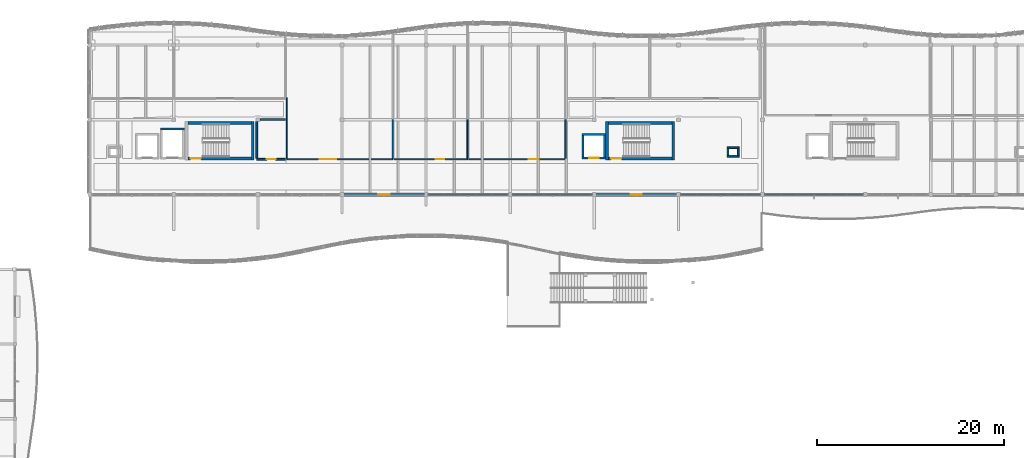
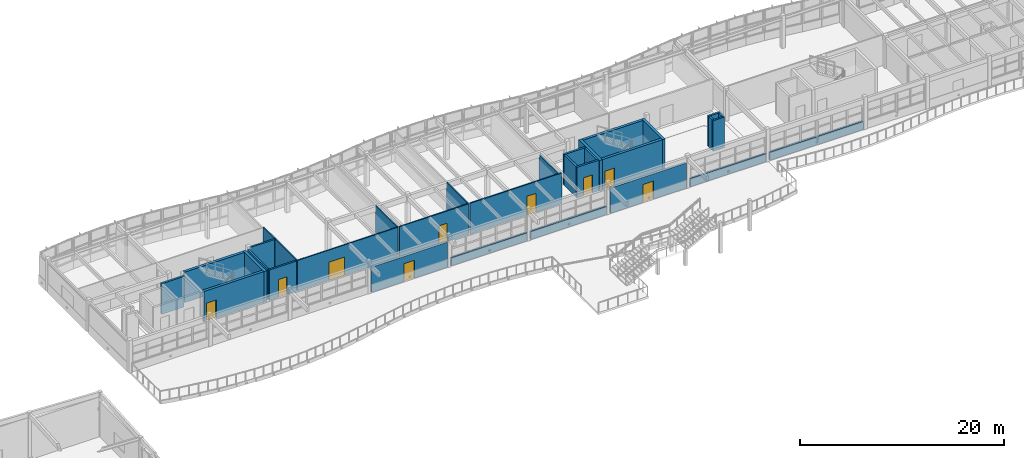
# One storey, part 30 of 52: 33 walls, 9 doors, 9 openings.
"""IFC4 building model written with IfcOpenShell, lengths in metres."""

from ifc_helpers import new_model, si_unit, direction, frame, frame_2d, origin, place, context, subcontext, project, spatial, rectangle, extrude, material, layer, layer_set, type_object, element, fill, save


model = new_model("IFC4")

# Units and contexts
model_context = context("Model", 3, precision=1e-05, world=origin(), true_north=direction((0.0, 1.0)))
body_context = subcontext(model_context, "Body", "Model", "MODEL_VIEW")
ifc_project = project(units=[si_unit("LENGTHUNIT", "METRE"), si_unit("AREAUNIT", "SQUARE_METRE"), si_unit("VOLUMEUNIT", "CUBIC_METRE"), si_unit("PLANEANGLEUNIT", "RADIAN"), si_unit("MASSUNIT", "GRAM", prefix="KILO")], contexts=[model_context])

# Site, building, storey
site_placement = place(None, origin())
site = spatial("IfcSite", under=ifc_project, at=site_placement, CompositionType="ELEMENT")
building_placement = place(site_placement, origin())
building = spatial("IfcBuilding", under=site, at=building_placement, Name="Tonlespit Floodbar School", CompositionType="ELEMENT")
storey_placement = place(building_placement, frame((0.0, 0.0, 12.300048828125)))
storey = spatial("IfcBuildingStorey", under=building, at=storey_placement, Name="L03", CompositionType="ELEMENT", Elevation=12.300048828125)

# Wall
ifc_material_1 = material(Name="Concrete C40/50", Category="concrete")
ifc_layer_1 = layer(ifc_material_1, 0.300048828125)
ifc_layer_set_1 = layer_set([ifc_layer_1], Name="Concrete C40/50")
wall_type_1 = type_object("IfcWallType", Name="CoreWall_RC_300", PredefinedType="SHEAR", material=ifc_layer_set_1)
wall_1_placement = place(storey_placement, frame((61.449951171875, 111.800048828125, 0.0), z_axis=(0.0, 0.0, 1.0), x_axis=(0.0, -1.0, 0.0)))
element("IfcWall", 1, at=wall_1_placement, inside=storey, type_object=wall_type_1, Name="L03 core C1 shear wall FAR", PredefinedType="SHEAR", context=body_context, shape_type="SweptSolid", body=[
    extrude(rectangle(XDim=4.10009765625, YDim=0.300048828125, at=frame_2d((2.050048828125, 0.0))), origin(), (0.0, 0.0, 1.0), 3.64990234375),
])

# Wall, opening, door
wall_2_placement = place(storey_placement, frame((54.5, 107.85009765625, 0.0), z_axis=(0.0, 0.0, 1.0), x_axis=(1.0, 0.0, 0.0)))
wall_2 = element("IfcWall", 2, at=wall_2_placement, inside=storey, type_object=wall_type_1, Name="L03 core C1 shear wall LEFT", PredefinedType="SHEAR", context=body_context, shape_type="SweptSolid", body=[
    extrude(rectangle(XDim=6.800048828125, YDim=0.300048828125, at=frame_2d((3.39990234375, 0.0))), origin(), (0.0, 0.0, 1.0), 3.64990234375),
])
opening_1_placement = place(wall_2_placement, frame((0.300048828125, 0.0, 0.0)))
opening_1 = element("IfcOpeningElement", 3, at=opening_1_placement, cuts=wall_2, Name="Opening FD1-C1-L03", PredefinedType="OPENING", context=body_context, shape_type="SweptSolid", body=[
    extrude(rectangle(XDim=1.10009765625, YDim=2.14990234375, at=frame_2d((0.550048828125, 1.074951171875))), frame((0.0, 0.159912109375, 0.0), z_axis=(0.0, -1.0, 0.0), x_axis=(1.0, 0.0, 0.0)), (0.0, 0.0, 1.0), 0.320068359375),
])
ifc_material_2 = material(Name="Galvanised Steel", Category="steel")
door_type_1 = type_object("IfcDoorType", Name="FireDoor_Stair_1100x2150", OperationType="NOTDEFINED", PredefinedType="DOOR", material=ifc_material_2)
door_1_placement = place(opening_1_placement, origin())
door_1 = element("IfcDoor", 4, at=door_1_placement, inside=storey, type_object=door_type_1, Name="L03 stair ST-C1 fire door", OperationType="SINGLE_SWING_RIGHT", OverallHeight=2.14990234375, OverallWidth=1.10009765625, PredefinedType="DOOR", context=body_context, shape_type="SweptSolid", body=[
    extrude(rectangle(XDim=1.10009765625, YDim=2.14990234375, at=frame_2d((0.550048828125, 1.074951171875))), frame((0.0, 0.02490234375, 0.0), z_axis=(0.0, -1.0, 0.0), x_axis=(1.0, 0.0, 0.0)), (0.0, 0.0, 1.0), 0.050048828125),
])
fill(opening_1, door_1)

# Walls
wall_3_placement = place(storey_placement, frame((61.300048828125, 111.64990234375, 0.0), z_axis=(0.0, 0.0, 1.0), x_axis=(-1.0, 0.0, 0.0)))
element("IfcWall", 5, at=wall_3_placement, inside=storey, type_object=wall_type_1, Name="L03 core C1 shear wall RGHT", PredefinedType="SHEAR", context=body_context, shape_type="SweptSolid", body=[
    extrude(rectangle(XDim=6.800048828125, YDim=0.300048828125, at=frame_2d((3.39990234375, 0.0))), origin(), (0.0, 0.0, 1.0), 3.64990234375),
])
for number, where, z_axis, x_axis, name in (
    (6, (99.35009765625, 107.699951171875, 0.0), (0.0, 0.0, 1.0), (0.0, 1.0, 0.0), "L03 core C2 shear wall NEAR"),
    (7, (106.449951171875, 111.800048828125, 0.0), (0.0, 0.0, 1.0), (0.0, -1.0, 0.0), "L03 core C2 shear wall FAR"),
):
    element("IfcWall", number, at=place(storey_placement, frame(where, z_axis=z_axis, x_axis=x_axis)), inside=storey, type_object=wall_type_1, Name=name, PredefinedType="SHEAR", context=body_context, shape_type="SweptSolid", body=[
        extrude(rectangle(XDim=4.10009765625, YDim=0.300048828125, at=frame_2d((2.050048828125, 0.0))), origin(), (0.0, 0.0, 1.0), 3.64990234375),
    ])

# Wall, opening, door
wall_4_placement = place(storey_placement, frame((99.5, 107.85009765625, 0.0), z_axis=(0.0, 0.0, 1.0), x_axis=(1.0, 0.0, 0.0)))
wall_4 = element("IfcWall", 8, at=wall_4_placement, inside=storey, type_object=wall_type_1, Name="L03 core C2 shear wall LEFT", PredefinedType="SHEAR", context=body_context, shape_type="SweptSolid", body=[
    extrude(rectangle(XDim=6.800048828125, YDim=0.300048828125, at=frame_2d((3.39990234375, 0.0))), origin(), (0.0, 0.0, 1.0), 3.64990234375),
])
opening_2_placement = place(wall_4_placement, frame((0.300048828125, 0.0, 0.0)))
opening_2 = element("IfcOpeningElement", 9, at=opening_2_placement, cuts=wall_4, Name="Opening FD1-C2-L03", PredefinedType="OPENING", context=body_context, shape_type="SweptSolid", body=[
    extrude(rectangle(XDim=1.10009765625, YDim=2.14990234375, at=frame_2d((0.550048828125, 1.074951171875))), frame((0.0, 0.159912109375, 0.0), z_axis=(0.0, -1.0, 0.0), x_axis=(1.0, 0.0, 0.0)), (0.0, 0.0, 1.0), 0.320068359375),
])
door_2_placement = place(opening_2_placement, origin())
door_2 = element("IfcDoor", 10, at=door_2_placement, inside=storey, type_object=door_type_1, Name="L03 stair ST-C2 fire door", OperationType="SINGLE_SWING_RIGHT", OverallHeight=2.14990234375, OverallWidth=1.10009765625, PredefinedType="DOOR", context=body_context, shape_type="SweptSolid", body=[
    extrude(rectangle(XDim=1.10009765625, YDim=2.14990234375, at=frame_2d((0.550048828125, 1.074951171875))), frame((0.0, 0.02490234375, 0.0), z_axis=(0.0, -1.0, 0.0), x_axis=(1.0, 0.0, 0.0)), (0.0, 0.0, 1.0), 0.050048828125),
])
fill(opening_2, door_2)

# Wall
wall_5_placement = place(storey_placement, frame((106.300048828125, 111.64990234375, 0.0), z_axis=(0.0, 0.0, 1.0), x_axis=(-1.0, 0.0, 0.0)))
element("IfcWall", 11, at=wall_5_placement, inside=storey, type_object=wall_type_1, Name="L03 core C2 shear wall RGHT", PredefinedType="SHEAR", context=body_context, shape_type="SweptSolid", body=[
    extrude(rectangle(XDim=6.800048828125, YDim=0.300048828125, at=frame_2d((3.39990234375, 0.0))), origin(), (0.0, 0.0, 1.0), 3.64990234375),
])

# Wall, opening, door
ifc_material_3 = material(Name="Precast concrete C40/50", Category="concrete")
ifc_layer_2 = layer(ifc_material_3, 0.239990234375)
ifc_layer_set_2 = layer_set([ifc_layer_2], Name="Precast concrete C40/50")
wall_type_2 = type_object("IfcWallType", Name="ExtWall_Rainscreen_240", PredefinedType="SOLIDWALL", material=ifc_layer_set_2)
wall_6_placement = place(storey_placement, frame((106.800048828125, 104.0, 0.0), z_axis=(0.0, 0.0, 1.0), x_axis=(-1.0, 0.0, 0.0)))
wall_6 = element("IfcWall", 12, at=wall_6_placement, inside=storey, type_object=wall_type_2, Name="L03 external wall 0179", PredefinedType="SOLIDWALL", context=body_context, shape_type="SweptSolid", body=[
    extrude(rectangle(XDim=8.60009765625, YDim=0.239990234375, at=frame_2d((4.300048828125, 0.0))), origin(), (0.0, 0.0, 1.0), 3.008056640625),
])
opening_3_placement = place(wall_6_placement, frame((3.699951171875, 0.0, 0.0)))
opening_3 = element("IfcOpeningElement", 13, at=opening_3_placement, cuts=wall_6, Name="Opening D-TR-008", PredefinedType="OPENING", context=body_context, shape_type="SweptSolid", body=[
    extrude(rectangle(XDim=1.199951171875, YDim=2.14990234375, at=frame_2d((0.60009765625, 1.074951171875))), frame((0.0, 0.1298828125, 0.0), z_axis=(0.0, -1.0, 0.0), x_axis=(1.0, 0.0, 0.0)), (0.0, 0.0, 1.0), 0.260009765625),
])
ifc_material_4 = material(Name="Anodised Aluminium", Category="aluminium")
door_type_2 = type_object("IfcDoorType", Name="ExtDoor_Terrace_1200x2150", OperationType="NOTDEFINED", PredefinedType="DOOR", material=ifc_material_4)
door_3_placement = place(opening_3_placement, origin())
door_3 = element("IfcDoor", 14, at=door_3_placement, inside=storey, type_object=door_type_2, Name="L03 exterior door D-TR-008", OperationType="SINGLE_SWING_RIGHT", OverallHeight=2.14990234375, OverallWidth=1.199951171875, PredefinedType="DOOR", context=body_context, shape_type="SweptSolid", body=[
    extrude(rectangle(XDim=1.199951171875, YDim=2.14990234375, at=frame_2d((0.60009765625, 1.074951171875))), frame((0.0, 0.02490234375, 0.0), z_axis=(0.0, -1.0, 0.0), x_axis=(1.0, 0.0, 0.0)), (0.0, 0.0, 1.0), 0.050048828125),
])
fill(opening_3, door_3)

wall_7_placement = place(storey_placement, frame((79.800048828125, 104.0, 0.0), z_axis=(0.0, 0.0, 1.0), x_axis=(-1.0, 0.0, 0.0)))
wall_7 = element("IfcWall", 15, at=wall_7_placement, inside=storey, type_object=wall_type_2, Name="L03 external wall 0182", PredefinedType="SOLIDWALL", context=body_context, shape_type="SweptSolid", body=[
    extrude(rectangle(XDim=8.60009765625, YDim=0.239990234375, at=frame_2d((4.300048828125, 0.0))), origin(), (0.0, 0.0, 1.0), 3.008056640625),
])
opening_4_placement = place(wall_7_placement, frame((3.699951171875, 0.0, 0.0)))
opening_4 = element("IfcOpeningElement", 16, at=opening_4_placement, cuts=wall_7, Name="Opening D-TR-009", PredefinedType="OPENING", context=body_context, shape_type="SweptSolid", body=[
    extrude(rectangle(XDim=1.199951171875, YDim=2.14990234375, at=frame_2d((0.60009765625, 1.074951171875))), frame((0.0, 0.1298828125, 0.0), z_axis=(0.0, -1.0, 0.0), x_axis=(1.0, 0.0, 0.0)), (0.0, 0.0, 1.0), 0.260009765625),
])
door_4_placement = place(opening_4_placement, origin())
door_4 = element("IfcDoor", 17, at=door_4_placement, inside=storey, type_object=door_type_2, Name="L03 exterior door D-TR-009", OperationType="SINGLE_SWING_LEFT", OverallHeight=2.14990234375, OverallWidth=1.199951171875, PredefinedType="DOOR", context=body_context, shape_type="SweptSolid", body=[
    extrude(rectangle(XDim=1.199951171875, YDim=2.14990234375, at=frame_2d((0.60009765625, 1.074951171875))), frame((0.0, 0.02490234375, 0.0), z_axis=(0.0, -1.0, 0.0), x_axis=(1.0, 0.0, 0.0)), (0.0, 0.0, 1.0), 0.050048828125),
])
fill(opening_4, door_4)

# Walls
ifc_material_5 = material(Name="White Architectural Precast concrete C40/50", Category="concrete")
ifc_layer_3 = layer(ifc_material_5, 0.199951171875)
ifc_layer_set_3 = layer_set([ifc_layer_3], Name="White Architectural Precast concrete C40/50")
wall_type_3 = type_object("IfcWallType", Name="ExtWall_Spandrel_White_200", PredefinedType="SOLIDWALL", material=ifc_layer_set_3)
for number, where, z_axis, x_axis, name in (
    (18, (115.800048828125, 104.0, 0.0), (0.0, 0.0, 1.0), (-1.0, 0.0, 0.0), "L03 spandrel wall 0178"),
    (19, (97.800048828125, 104.0, 0.0), (0.0, 0.0, 1.0), (-1.0, 0.0, 0.0), "L03 spandrel wall 0180"),
    (20, (88.800048828125, 104.0, 0.0), (0.0, 0.0, 1.0), (-1.0, 0.0, 0.0), "L03 spandrel wall 0181"),
):
    element("IfcWall", number, at=place(storey_placement, frame(where, z_axis=z_axis, x_axis=x_axis)), inside=storey, type_object=wall_type_3, Name=name, PredefinedType="SOLIDWALL", context=body_context, shape_type="SweptSolid", body=[
        extrude(rectangle(XDim=8.60009765625, YDim=0.199951171875, at=frame_2d((4.300048828125, 0.0))), origin(), (0.0, 0.0, 1.0), 0.949951171875),
    ])
wall_8_placement = place(storey_placement, frame((126.800048828125, 104.0, 0.0), z_axis=(0.0, 0.0, 1.0), x_axis=(-1.0, 0.0, 0.0)))
element("IfcWall", 21, at=wall_8_placement, inside=storey, type_object=wall_type_3, Name="L03 spandrel wall 0661", PredefinedType="SOLIDWALL", context=body_context, shape_type="SweptSolid", body=[
    extrude(rectangle(XDim=10.60009765625, YDim=0.199951171875, at=frame_2d((5.300048828125, 0.0))), origin(), (0.0, 0.0, 1.0), 0.949951171875),
])
ifc_layer_4 = layer(ifc_material_1, 0.199951171875)
ifc_layer_set_4 = layer_set([ifc_layer_4], Name="Concrete C40/50")
wall_type_4 = type_object("IfcWallType", Name="FireWall_Plant_200", PredefinedType="PARTITIONING", material=ifc_layer_set_4)
for number, where, z_axis, x_axis, name in (
    (22, (113.5, 108.10009765625, 0.0), (0.0, 0.0, 1.0), (-1.0, 0.0, 0.0), "L03 service riser 02 wall S"),
    (23, (112.199951171875, 109.0, 0.0), (0.0, 0.0, 1.0), (1.0, 0.0, 0.0), "L03 service riser 02 wall N"),
):
    element("IfcWall", number, at=place(storey_placement, frame(where, z_axis=z_axis, x_axis=x_axis)), inside=storey, type_object=wall_type_4, Name=name, PredefinedType="PARTITIONING", context=body_context, shape_type="SweptSolid", body=[
        extrude(rectangle(XDim=1.300048828125, YDim=0.199951171875, at=frame_2d((0.64990234375, 0.0))), origin(), (0.0, 0.0, 1.0), 3.64990234375),
    ])
for number, where, z_axis, x_axis, name in (
    (24, (112.300048828125, 108.199951171875, 0.0), (0.0, 0.0, 1.0), (0.0, 1.0, 0.0), "L03 service riser 02 wall W"),
    (25, (113.39990234375, 108.89990234375, 0.0), (0.0, 0.0, 1.0), (0.0, -1.0, 0.0), "L03 service riser 02 wall E"),
):
    element("IfcWall", number, at=place(storey_placement, frame(where, z_axis=z_axis, x_axis=x_axis)), inside=storey, type_object=wall_type_4, Name=name, PredefinedType="PARTITIONING", context=body_context, shape_type="SweptSolid", body=[
        extrude(rectangle(XDim=0.699951171875, YDim=0.199951171875, at=frame_2d((0.35009765625, 0.0))), origin(), (0.0, 0.0, 1.0), 3.64990234375),
    ])

# Wall, opening, door
ifc_material_6 = material(Name="Gypsum Plasterboard Partition")
ifc_layer_5 = layer(ifc_material_6, 0.1298828125)
ifc_layer_set_5 = layer_set([ifc_layer_5], Name="Gypsum Plasterboard Partition")
wall_type_5 = type_object("IfcWallType", Name="Partition_Gyp_130", PredefinedType="PARTITIONING", material=ifc_layer_set_5)
wall_9_placement = place(storey_placement, frame((65.070068359375, 107.77001953125, 0.0), z_axis=(0.0, 0.0, 1.0), x_axis=(1.0, 0.0, 0.0)))
wall_9 = element("IfcWall", 26, at=wall_9_placement, inside=storey, type_object=wall_type_5, Name="L03 partition wall 0087", PredefinedType="PARTITIONING", context=body_context, shape_type="SweptSolid", body=[
    extrude(rectangle(XDim=11.35986328125, YDim=0.1298828125, at=frame_2d((5.679931640625, 0.0))), origin(), (0.0, 0.0, 1.0), 3.64990234375),
])
opening_5_placement = place(wall_9_placement, frame((3.550048828125, 0.0, 0.0)))
opening_5 = element("IfcOpeningElement", 27, at=opening_5_placement, cuts=wall_9, Name="Opening D-L03-029", PredefinedType="OPENING", context=body_context, shape_type="SweptSolid", body=[
    extrude(rectangle(XDim=1.760009765625, YDim=2.199951171875, at=frame_2d((0.8798828125, 1.10009765625))), frame((0.0, 0.074951171875, 0.0), z_axis=(0.0, -1.0, 0.0), x_axis=(1.0, 0.0, 0.0)), (0.0, 0.0, 1.0), 0.14990234375),
])
ifc_material_7 = material(Name="Hardwood Timber", Category="wood")
door_type_3 = type_object("IfcDoorType", Name="IntDoor_1760x2200", OperationType="NOTDEFINED", PredefinedType="DOOR", material=ifc_material_7)
door_5_placement = place(opening_5_placement, origin())
door_5 = element("IfcDoor", 28, at=door_5_placement, inside=storey, type_object=door_type_3, Name="L03 interior door D-L03-029", OperationType="SINGLE_SWING_RIGHT", OverallHeight=2.199951171875, OverallWidth=1.760009765625, PredefinedType="DOOR", context=body_context, shape_type="SweptSolid", body=[
    extrude(rectangle(XDim=1.760009765625, YDim=2.199951171875, at=frame_2d((0.8798828125, 1.10009765625))), frame((0.0, 0.02490234375, 0.0), z_axis=(0.0, -1.0, 0.0), x_axis=(1.0, 0.0, 0.0)), (0.0, 0.0, 1.0), 0.050048828125),
])
fill(opening_5, door_5)

# Walls
wall_10_placement = place(storey_placement, frame((65.070068359375, 107.85009765625, 0.0), z_axis=(0.0, 0.0, 1.0), x_axis=(0.0, 1.0, 0.0)))
element("IfcWall", 29, at=wall_10_placement, inside=storey, type_object=wall_type_5, Name="L03 partition wall 0088", PredefinedType="PARTITIONING", context=body_context, shape_type="SweptSolid", body=[
    extrude(rectangle(XDim=4.14990234375, YDim=0.1298828125, at=frame_2d((2.074951171875, 0.0))), origin(), (0.0, 0.0, 1.0), 3.64990234375),
])
wall_11_placement = place(storey_placement, frame((65.070068359375, 112.0, 0.0), z_axis=(0.0, 0.0, 1.0), x_axis=(0.0, 1.0, 0.0)))
element("IfcWall", 30, at=wall_11_placement, inside=storey, type_object=wall_type_5, Name="L03 partition wall 0089", PredefinedType="PARTITIONING", context=body_context, shape_type="SweptSolid", body=[
    extrude(rectangle(XDim=2.324951171875, YDim=0.1298828125, at=frame_2d((1.16259765625, 0.0))), origin(), (0.0, 0.0, 1.0), 3.64990234375),
])
wall_12_placement = place(storey_placement, frame((76.429931640625, 107.85009765625, 0.0), z_axis=(0.0, 0.0, 1.0), x_axis=(0.0, 1.0, 0.0)))
element("IfcWall", 31, at=wall_12_placement, inside=storey, type_object=wall_type_5, Name="L03 partition wall 0090", PredefinedType="PARTITIONING", context=body_context, shape_type="SweptSolid", body=[
    extrude(rectangle(XDim=4.14990234375, YDim=0.1298828125, at=frame_2d((2.074951171875, 0.0))), origin(), (0.0, 0.0, 1.0), 3.64990234375),
])

# Wall, opening, door
ifc_layer_6 = layer(ifc_material_6, 0.139892578125)
ifc_layer_set_6 = layer_set([ifc_layer_6], Name="Gypsum Plasterboard Partition")
wall_type_6 = type_object("IfcWallType", Name="Partition_Gyp_140", PredefinedType="PARTITIONING", material=ifc_layer_set_6)
wall_13_placement = place(storey_placement, frame((76.570068359375, 107.77001953125, 0.0), z_axis=(0.0, 0.0, 1.0), x_axis=(1.0, 0.0, 0.0)))
wall_13 = element("IfcWall", 32, at=wall_13_placement, inside=storey, type_object=wall_type_6, Name="L03 partition wall 0092", PredefinedType="PARTITIONING", context=body_context, shape_type="SweptSolid", body=[
    extrude(rectangle(XDim=7.85986328125, YDim=0.139892578125, at=frame_2d((3.929931640625, 0.0))), origin(), (0.0, 0.0, 1.0), 3.64990234375),
])
opening_6_placement = place(wall_13_placement, frame((4.469970703125, 0.0, 0.0)))
opening_6 = element("IfcOpeningElement", 33, at=opening_6_placement, cuts=wall_13, Name="Opening D-L03-030", PredefinedType="OPENING", context=body_context, shape_type="SweptSolid", body=[
    extrude(rectangle(XDim=0.919921875, YDim=2.199951171875, at=frame_2d((0.4599609375, 1.10009765625))), frame((0.0, 0.079833984375, 0.0), z_axis=(0.0, -1.0, 0.0), x_axis=(1.0, 0.0, 0.0)), (0.0, 0.0, 1.0), 0.159912109375),
])
door_type_4 = type_object("IfcDoorType", Name="IntDoor_920x2200", OperationType="NOTDEFINED", PredefinedType="DOOR", material=ifc_material_7)
door_6_placement = place(opening_6_placement, origin())
door_6 = element("IfcDoor", 34, at=door_6_placement, inside=storey, type_object=door_type_4, Name="L03 interior door D-L03-030", OperationType="SINGLE_SWING_LEFT", OverallHeight=2.199951171875, OverallWidth=0.919921875, PredefinedType="DOOR", context=body_context, shape_type="SweptSolid", body=[
    extrude(rectangle(XDim=0.919921875, YDim=2.199951171875, at=frame_2d((0.4599609375, 1.10009765625))), frame((0.0, 0.02490234375, 0.0), z_axis=(0.0, -1.0, 0.0), x_axis=(1.0, 0.0, 0.0)), (0.0, 0.0, 1.0), 0.050048828125),
])
fill(opening_6, door_6)

# Wall
wall_14_placement = place(storey_placement, frame((84.429931640625, 107.85498046875, 0.0), z_axis=(0.0, 0.0, 1.0), x_axis=(0.0, 1.0, 0.0)))
element("IfcWall", 35, at=wall_14_placement, inside=storey, type_object=wall_type_6, Name="L03 partition wall 0093", PredefinedType="PARTITIONING", context=body_context, shape_type="SweptSolid", body=[
    extrude(rectangle(XDim=4.14501953125, YDim=0.139892578125, at=frame_2d((2.072509765625, 0.0))), origin(), (0.0, 0.0, 1.0), 3.64990234375),
])

# Wall, opening, door
ifc_layer_7 = layer(ifc_material_6, 0.14990234375)
ifc_layer_set_7 = layer_set([ifc_layer_7], Name="Gypsum Plasterboard Partition")
wall_type_7 = type_object("IfcWallType", Name="Partition_Gyp_150", PredefinedType="PARTITIONING", material=ifc_layer_set_7)
wall_15_placement = place(storey_placement, frame((84.570068359375, 107.77001953125, 0.0), z_axis=(0.0, 0.0, 1.0), x_axis=(1.0, 0.0, 0.0)))
wall_15 = element("IfcWall", 36, at=wall_15_placement, inside=storey, type_object=wall_type_7, Name="L03 partition wall 0095", PredefinedType="PARTITIONING", context=body_context, shape_type="SweptSolid", body=[
    extrude(rectangle(XDim=10.35986328125, YDim=0.14990234375, at=frame_2d((5.179931640625, 0.0))), origin(), (0.0, 0.0, 1.0), 3.64990234375),
])
opening_7_placement = place(wall_15_placement, frame((6.409912109375, 0.0, 0.0)))
opening_7 = element("IfcOpeningElement", 37, at=opening_7_placement, cuts=wall_15, Name="Opening D-L03-031", PredefinedType="OPENING", context=body_context, shape_type="SweptSolid", body=[
    extrude(rectangle(XDim=1.0400390625, YDim=2.25, at=frame_2d((0.52001953125, 1.125))), frame((0.0, 0.0849609375, 0.0), z_axis=(0.0, -1.0, 0.0), x_axis=(1.0, 0.0, 0.0)), (0.0, 0.0, 1.0), 0.169921875),
])
door_type_5 = type_object("IfcDoorType", Name="IntDoor_1040x2250", OperationType="NOTDEFINED", PredefinedType="DOOR", material=ifc_material_7)
door_7_placement = place(opening_7_placement, origin())
door_7 = element("IfcDoor", 38, at=door_7_placement, inside=storey, type_object=door_type_5, Name="L03 interior door D-L03-031", OperationType="SINGLE_SWING_RIGHT", OverallHeight=2.25, OverallWidth=1.0400390625, PredefinedType="DOOR", context=body_context, shape_type="SweptSolid", body=[
    extrude(rectangle(XDim=1.0400390625, YDim=2.25, at=frame_2d((0.52001953125, 1.125))), frame((0.0, 0.02490234375, 0.0), z_axis=(0.0, -1.0, 0.0), x_axis=(1.0, 0.0, 0.0)), (0.0, 0.0, 1.0), 0.050048828125),
])
fill(opening_7, door_7)

# Wall
wall_16_placement = place(storey_placement, frame((94.929931640625, 107.860107421875, 0.0), z_axis=(0.0, 0.0, 1.0), x_axis=(0.0, 1.0, 0.0)))
element("IfcWall", 39, at=wall_16_placement, inside=storey, type_object=wall_type_7, Name="L03 partition wall 0096", PredefinedType="PARTITIONING", context=body_context, shape_type="SweptSolid", body=[
    extrude(rectangle(XDim=4.139892578125, YDim=0.14990234375, at=frame_2d((2.06982421875, 0.0))), origin(), (0.0, 0.0, 1.0), 3.248046875),
])

# Wall, opening, door
ifc_layer_8 = layer(ifc_material_6, 0.195068359375)
ifc_layer_set_8 = layer_set([ifc_layer_8], Name="Gypsum Plasterboard Partition")
wall_type_8 = type_object("IfcWallType", Name="Partition_Gyp_195", PredefinedType="PARTITIONING", material=ifc_layer_set_8)
wall_17_placement = place(storey_placement, frame((61.8701171875, 107.77001953125, 0.0), z_axis=(0.0, 0.0, 1.0), x_axis=(1.0, 0.0, 0.0)))
wall_17 = element("IfcWall", 40, at=wall_17_placement, inside=storey, type_object=wall_type_8, Name="L03 partition wall 0103", PredefinedType="PARTITIONING", context=body_context, shape_type="SweptSolid", body=[
    extrude(rectangle(XDim=3.059814453125, YDim=0.195068359375, at=frame_2d((1.52978515625, 0.0))), origin(), (0.0, 0.0, 1.0), 3.64990234375),
])
opening_8_placement = place(wall_17_placement, frame((1.050048828125, 0.0, 0.0)))
opening_8 = element("IfcOpeningElement", 41, at=opening_8_placement, cuts=wall_17, Name="Opening D-L03-034", PredefinedType="OPENING", context=body_context, shape_type="SweptSolid", body=[
    extrude(rectangle(XDim=0.9599609375, YDim=2.14990234375, at=frame_2d((0.47998046875, 1.074951171875))), frame((0.0, 0.107421875, 0.0), z_axis=(0.0, -1.0, 0.0), x_axis=(1.0, 0.0, 0.0)), (0.0, 0.0, 1.0), 0.215087890625),
])
door_type_6 = type_object("IfcDoorType", Name="IntDoor_960x2150", OperationType="NOTDEFINED", PredefinedType="DOOR", material=ifc_material_7)
door_8_placement = place(opening_8_placement, origin())
door_8 = element("IfcDoor", 42, at=door_8_placement, inside=storey, type_object=door_type_6, Name="L03 interior door D-L03-034", OperationType="SINGLE_SWING_LEFT", OverallHeight=2.14990234375, OverallWidth=0.9599609375, PredefinedType="DOOR", context=body_context, shape_type="SweptSolid", body=[
    extrude(rectangle(XDim=0.9599609375, YDim=2.14990234375, at=frame_2d((0.47998046875, 1.074951171875))), frame((0.0, 0.02490234375, 0.0), z_axis=(0.0, -1.0, 0.0), x_axis=(1.0, 0.0, 0.0)), (0.0, 0.0, 1.0), 0.050048828125),
])
fill(opening_8, door_8)

# Walls
wall_18_placement = place(storey_placement, frame((62.215087890625, 112.030029296875, 0.0), z_axis=(0.0, 0.0, 1.0), x_axis=(1.0, 0.0, 0.0)))
element("IfcWall", 43, at=wall_18_placement, inside=storey, type_object=wall_type_8, Name="L03 partition wall 0104", PredefinedType="PARTITIONING", context=body_context, shape_type="SweptSolid", body=[
    extrude(rectangle(XDim=2.71484375, YDim=0.195068359375, at=frame_2d((1.357421875, 0.0))), origin(), (0.0, 0.0, 1.0), 3.64990234375),
])
wall_19_placement = place(storey_placement, frame((61.8701171875, 107.882568359375, 0.0), z_axis=(0.0, 0.0, 1.0), x_axis=(0.0, 1.0, 0.0)))
element("IfcWall", 44, at=wall_19_placement, inside=storey, type_object=wall_type_8, Name="L03 partition wall 0105", PredefinedType="PARTITIONING", context=body_context, shape_type="SweptSolid", body=[
    extrude(rectangle(XDim=3.90234375, YDim=0.195068359375, at=frame_2d((1.951171875, 0.0))), origin(), (0.0, 0.0, 1.0), 3.64990234375),
])
ifc_layer_9 = layer(ifc_material_1, 0.219970703125)
ifc_layer_set_9 = layer_set([ifc_layer_9], Name="Concrete C40/50")
wall_type_9 = type_object("IfcWallType", Name="ShaftWall_RC_220", PredefinedType="SHEAR", material=ifc_layer_set_9)
wall_20_placement = place(storey_placement, frame((51.580078125, 111.010009765625, 0.0), z_axis=(0.0, 0.0, 1.0), x_axis=(1.0, 0.0, 0.0)))
element("IfcWall", 45, at=wall_20_placement, inside=storey, type_object=wall_type_9, Name="L03 lift LF-FF1 shaft wall N", PredefinedType="SHEAR", context=body_context, shape_type="SweptSolid", body=[
    extrude(rectangle(XDim=2.5400390625, YDim=0.219970703125, at=frame_2d((1.27001953125, 0.0))), origin(), (0.0, 0.0, 1.0), 3.64990234375),
])

# Wall, opening, door
wall_21_placement = place(storey_placement, frame((99.219970703125, 107.889892578125, 0.0), z_axis=(0.0, 0.0, 1.0), x_axis=(-1.0, 0.0, 0.0)))
wall_21 = element("IfcWall", 46, at=wall_21_placement, inside=storey, type_object=wall_type_9, Name="L03 lift LP-2 shaft wall S", PredefinedType="SHEAR", context=body_context, shape_type="SweptSolid", body=[
    extrude(rectangle(XDim=2.5400390625, YDim=0.219970703125, at=frame_2d((1.27001953125, 0.0))), origin(), (0.0, 0.0, 1.0), 3.64990234375),
])
opening_9_placement = place(wall_21_placement, frame((0.77001953125, 0.0, 0.0)))
opening_9 = element("IfcOpeningElement", 47, at=opening_9_placement, cuts=wall_21, Name="Opening LD-LP-2-L03", PredefinedType="OPENING", context=body_context, shape_type="SweptSolid", body=[
    extrude(rectangle(XDim=1.0, YDim=2.14990234375, at=frame_2d((0.5, 1.074951171875))), frame((0.0, 0.119873046875, 0.0), z_axis=(0.0, -1.0, 0.0), x_axis=(1.0, 0.0, 0.0)), (0.0, 0.0, 1.0), 0.239990234375),
])
door_type_7 = type_object("IfcDoorType", Name="LiftDoor_Pass_1000x2150", OperationType="DOUBLE_DOOR_SLIDING", PredefinedType="DOOR", material=ifc_material_4)
door_9_placement = place(opening_9_placement, origin())
door_9 = element("IfcDoor", 48, at=door_9_placement, inside=storey, type_object=door_type_7, Name="L03 lift LP-2 sliding landing door", OperationType="DOUBLE_DOOR_SLIDING", OverallHeight=2.14990234375, OverallWidth=1.0, PredefinedType="DOOR", context=body_context, shape_type="SweptSolid", body=[
    extrude(rectangle(XDim=1.0, YDim=2.14990234375, at=frame_2d((0.5, 1.074951171875))), frame((0.0, 0.02490234375, 0.0), z_axis=(0.0, -1.0, 0.0), x_axis=(1.0, 0.0, 0.0)), (0.0, 0.0, 1.0), 0.050048828125),
])
fill(opening_9, door_9)

# Walls
wall_22_placement = place(storey_placement, frame((96.679931640625, 110.409912109375, 0.0), z_axis=(0.0, 0.0, 1.0), x_axis=(1.0, 0.0, 0.0)))
element("IfcWall", 49, at=wall_22_placement, inside=storey, type_object=wall_type_9, Name="L03 lift LP-2 shaft wall N", PredefinedType="SHEAR", context=body_context, shape_type="SweptSolid", body=[
    extrude(rectangle(XDim=2.5400390625, YDim=0.219970703125, at=frame_2d((1.27001953125, 0.0))), origin(), (0.0, 0.0, 1.0), 3.64990234375),
])
for number, where, z_axis, x_axis, name in (
    (50, (96.7900390625, 108.0, 0.0), (0.0, 0.0, 1.0), (0.0, 1.0, 0.0), "L03 lift LP-2 shaft wall W"),
    (51, (99.110107421875, 110.300048828125, 0.0), (0.0, 0.0, 1.0), (0.0, -1.0, 0.0), "L03 lift LP-2 shaft wall E"),
):
    element("IfcWall", number, at=place(storey_placement, frame(where, z_axis=z_axis, x_axis=x_axis)), inside=storey, type_object=wall_type_9, Name=name, PredefinedType="SHEAR", context=body_context, shape_type="SweptSolid", body=[
        extrude(rectangle(XDim=2.300048828125, YDim=0.219970703125, at=frame_2d((1.14990234375, 0.0))), origin(), (0.0, 0.0, 1.0), 3.64990234375),
    ])

save(model, "model.ifc")
